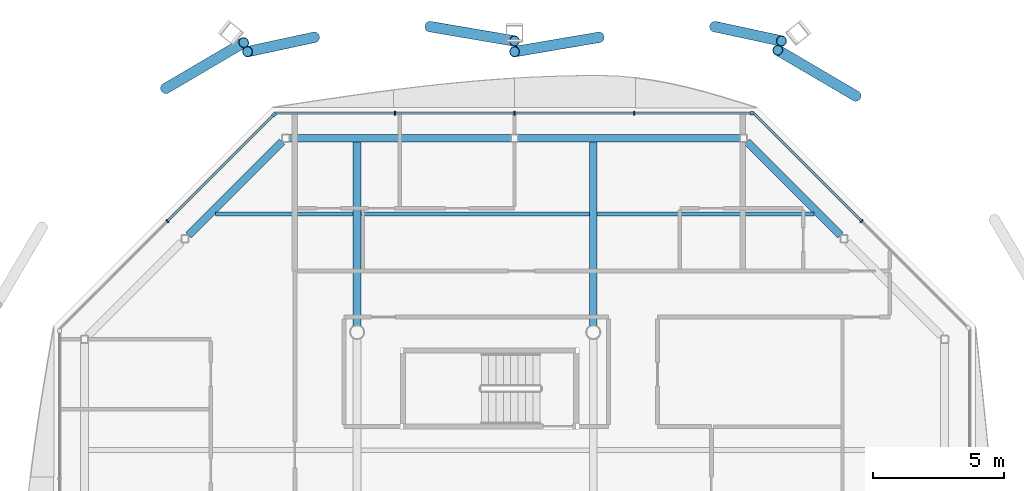
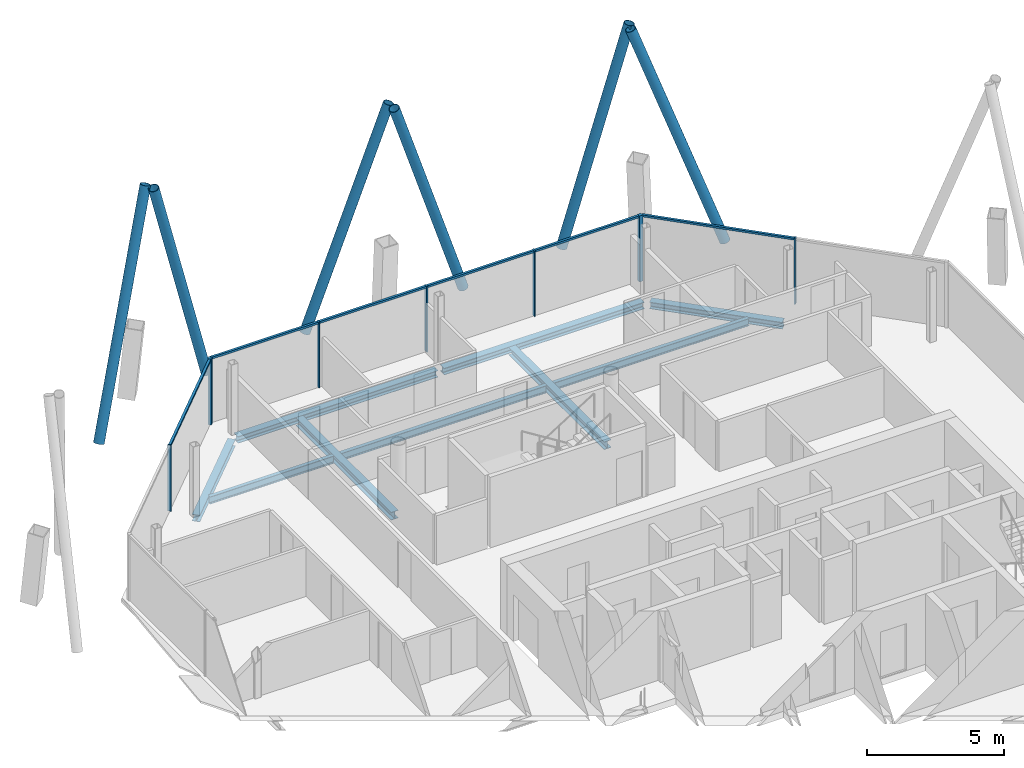
# One storey, part 8 of 16: 19 members, 9 beams, 3 elements without a shape of their own.
"""IFC4 building model written with IfcOpenShell, lengths in metres."""

from ifc_helpers import new_model, si_unit, direction, frame, origin, origin_2d, place, context, subcontext, project, spatial, rectangle, hollow_circle, i_section, extrude, material, material_profile, profile_set, type_object, element, aggregate, save


model = new_model("IFC4")

# Units and contexts
model_context = context("Model", 3, precision=1e-05, world=origin(), true_north=direction((0.0, 1.0)))
body_context = subcontext(model_context, "Body", "Model", "MODEL_VIEW")
ifc_project = project(units=[si_unit("LENGTHUNIT", "METRE"), si_unit("AREAUNIT", "SQUARE_METRE"), si_unit("VOLUMEUNIT", "CUBIC_METRE"), si_unit("PLANEANGLEUNIT", "RADIAN"), si_unit("MASSUNIT", "GRAM", prefix="KILO")], contexts=[model_context])

# Site, building, storey
site_placement = place(None, origin())
site = spatial("IfcSite", under=ifc_project, at=site_placement, CompositionType="ELEMENT")
building_placement = place(site_placement, origin())
building = spatial("IfcBuilding", under=site, at=building_placement, Name="Tskaro Facet Tower", CompositionType="ELEMENT")
storey_placement = place(building_placement, frame((0.0, 0.0, 245.550048828125)))
storey = spatial("IfcBuildingStorey", under=building, at=storey_placement, Name="L64", CompositionType="ELEMENT", Elevation=245.550048828125)

# Members
ifc_material_1 = material(Name="Steel S355J2H", Category="steel")
ifc_material_profile_1 = material_profile(ifc_material_1, hollow_circle(Radius=0.203125, WallThickness=0.02001953125, at=origin_2d()), Name="CHS 406.4x20")
ifc_profile_set_1 = profile_set([ifc_material_profile_1], Name="Steel S355J2H")
member_type_1 = type_object("IfcMemberType", Name="CHS 406.4x20 brace", PredefinedType="BRACE", material=ifc_profile_set_1)
member_1_placement = place(storey_placement, frame((10.009521484375, 17.99951171875, 0.0), z_axis=(-0.295918818534, 0.173911453254, 0.939248028619), x_axis=(-0.506677147958, -0.86213587545, 0.0)))
element("IfcMember", 1, at=member_1_placement, inside=storey, type_object=member_type_1, Name="CHS 406.4x20 XB06A/5", PredefinedType="BRACE", context=body_context, shape_type="SweptSolid", body=[
    extrude(hollow_circle(Radius=0.203125, WallThickness=0.02001953125, at=origin_2d()), origin(), (0.0, 0.0, 1.0), 10.061279296875),
])
member_2_placement = place(storey_placement, frame((0.223388671875, 20.23779296875, 0.0), z_axis=(-0.322351405965, -0.05481170237, 0.945031876899), x_axis=(0.167631053767, -0.985849800838, 0.0)))
element("IfcMember", 2, at=member_2_placement, inside=storey, type_object=member_type_1, Name="CHS 406.4x20 XB07A/5", PredefinedType="BRACE", context=body_context, shape_type="SweptSolid", body=[
    extrude(hollow_circle(Radius=0.203125, WallThickness=0.02001953125, at=origin_2d()), origin(), (0.0, 0.0, 1.0), 9.99951171875),
])
for number, where, z_axis, x_axis, name in (
    (3, (4.632080078125, 20.644287109375, 0.0), (0.259540800447, -0.055918339444, 0.964111877438), (0.210618145957, 0.977568410186, 0.0), "CHS 406.4x20 XB07B/5"),
    (4, (-10.632080078125, 20.23779296875, 0.0), (-0.259540800447, -0.055918339444, 0.964111877438), (0.210618145957, -0.977568410186, 0.0), "CHS 406.4x20 XB08A/5"),
):
    element("IfcMember", number, at=place(storey_placement, frame(where, z_axis=z_axis, x_axis=x_axis)), inside=storey, type_object=member_type_1, Name=name, PredefinedType="BRACE", context=body_context, shape_type="SweptSolid", body=[
        extrude(hollow_circle(Radius=0.203125, WallThickness=0.02001953125, at=origin_2d()), origin(), (0.0, 0.0, 1.0), 9.8017578125),
    ])
member_3_placement = place(storey_placement, frame((-6.223388671875, 20.644287109375, 0.0), z_axis=(0.322351405965, -0.05481170237, 0.945031876899), x_axis=(0.167631053767, 0.985849800838, 0.0)))
element("IfcMember", 5, at=member_3_placement, inside=storey, type_object=member_type_1, Name="CHS 406.4x20 XB08B/5", PredefinedType="BRACE", context=body_context, shape_type="SweptSolid", body=[
    extrude(hollow_circle(Radius=0.203125, WallThickness=0.02001953125, at=origin_2d()), origin(), (0.0, 0.0, 1.0), 9.99951171875),
])
member_4_placement = place(storey_placement, frame((-16.296875, 18.286865234375, 0.0), z_axis=(0.295918818534, 0.173911453254, 0.939248028619), x_axis=(-0.506677147958, 0.86213587545, 0.0)))
element("IfcMember", 6, at=member_4_placement, inside=storey, type_object=member_type_1, Name="CHS 406.4x20 XB09B/5", PredefinedType="BRACE", context=body_context, shape_type="SweptSolid", body=[
    extrude(hollow_circle(Radius=0.203125, WallThickness=0.02001953125, at=origin_2d()), origin(), (0.0, 0.0, 1.0), 10.061279296875),
])

# Curtain wall, member
ifc_material_2 = material(Name="Bronze anodised aluminium 6063-T6", Category="aluminium")
curtain_wall_type = type_object("IfcCurtainWallType", Name="Bronze residence curtain wall (FW3)", PredefinedType="NOTDEFINED", material=ifc_material_2)
curtain_wall_1_placement = place(storey_placement, origin())
curtain_wall_1 = element("IfcCurtainWall", 7, at=curtain_wall_1_placement, inside=storey, type_object=curtain_wall_type, Name="FW3 north facet L64", PredefinedType="NOTDEFINED")
ifc_material_profile_2 = material_profile(ifc_material_2, rectangle(XDim=0.139892578125, YDim=0.139892578125, at=origin_2d()), Name="Corner post 140x140")
ifc_profile_set_2 = profile_set([ifc_material_profile_2], Name="Bronze anodised aluminium 6063-T6")
member_type_2 = type_object("IfcMemberType", Name="FW3 bronze corner post 140x140", PredefinedType="MULLION", material=ifc_profile_set_2)
member_5_placement = place(storey_placement, frame((6.048095703125, 17.341064453125, 0.0), z_axis=(0.0, 0.0, 1.0), x_axis=(-1.0, 0.0, 0.0)))
member_5 = element("IfcMember", 8, at=member_5_placement, type_object=member_type_2, Name="FW3 north corner post", PredefinedType="MULLION", context=body_context, shape_type="SweptSolid", body=[
    extrude(rectangle(XDim=0.139892578125, YDim=0.139892578125, at=origin_2d()), origin(), (0.0, 0.0, 1.0), 2.949951171875),
])

curtain_wall_2_placement = place(storey_placement, origin())
curtain_wall_2 = element("IfcCurtainWall", 9, at=curtain_wall_2_placement, inside=storey, type_object=curtain_wall_type, Name="FW3 north-west facet L64", PredefinedType="NOTDEFINED")
member_6_placement = place(storey_placement, frame((-12.16748046875, 17.29150390625, 0.0), z_axis=(0.0, 0.0, 1.0), x_axis=(-0.707106781187, -0.707106781187, 0.0)))
member_6 = element("IfcMember", 10, at=member_6_placement, type_object=member_type_2, Name="FW3 north-west corner post", PredefinedType="MULLION", context=body_context, shape_type="SweptSolid", body=[
    extrude(rectangle(XDim=0.139892578125, YDim=0.139892578125, at=origin_2d()), origin(), (0.0, 0.0, 1.0), 2.949951171875),
])

curtain_wall_3_placement = place(storey_placement, origin())
curtain_wall_3 = element("IfcCurtainWall", 11, at=curtain_wall_3_placement, inside=storey, type_object=curtain_wall_type, Name="FW3 north-east facet L64", PredefinedType="NOTDEFINED")
ifc_material_profile_3 = material_profile(ifc_material_2, rectangle(XDim=0.050048828125, YDim=0.139892578125, at=origin_2d()), Name="Mullion 50x140")
ifc_profile_set_3 = profile_set([ifc_material_profile_3], Name="Bronze anodised aluminium 6063-T6")
member_type_3 = type_object("IfcMemberType", Name="FW3 bronze mullion 50x140", PredefinedType="MULLION", material=ifc_profile_set_3)
member_7_placement = place(storey_placement, frame((10.2294921875, 13.2294921875, 0.0), z_axis=(0.0, 0.0, 1.0), x_axis=(-0.707106781187, 0.707106781187, 0.0)))
member_7 = element("IfcMember", 12, at=member_7_placement, type_object=member_type_3, Name="FW3 north-east mullion 1", PredefinedType="MULLION", context=body_context, shape_type="SweptSolid", body=[
    extrude(rectangle(XDim=0.050048828125, YDim=0.139892578125, at=origin_2d()), origin(), (0.0, 0.0, 1.0), 2.949951171875),
])

# Member
member_8_placement = place(storey_placement, frame((1.55908203125, 17.341064453125, 0.0), z_axis=(0.0, 0.0, 1.0), x_axis=(-1.0, 0.0, 0.0)))
member_8 = element("IfcMember", 13, at=member_8_placement, type_object=member_type_3, Name="FW3 north mullion 1", PredefinedType="MULLION", context=body_context, shape_type="SweptSolid", body=[
    extrude(rectangle(XDim=0.050048828125, YDim=0.139892578125, at=origin_2d()), origin(), (0.0, 0.0, 1.0), 2.949951171875),
])

member_9_placement = place(storey_placement, frame((-3.0, 17.341064453125, 0.0), z_axis=(0.0, 0.0, 1.0), x_axis=(-1.0, 0.0, 0.0)))
member_9 = element("IfcMember", 14, at=member_9_placement, type_object=member_type_3, Name="FW3 north mullion 2", PredefinedType="MULLION", context=body_context, shape_type="SweptSolid", body=[
    extrude(rectangle(XDim=0.050048828125, YDim=0.139892578125, at=origin_2d()), origin(), (0.0, 0.0, 1.0), 2.949951171875),
])

member_10_placement = place(storey_placement, frame((-7.55908203125, 17.341064453125, 0.0), z_axis=(0.0, 0.0, 1.0), x_axis=(-1.0, 0.0, 0.0)))
member_10 = element("IfcMember", 15, at=member_10_placement, type_object=member_type_3, Name="FW3 north mullion 3", PredefinedType="MULLION", context=body_context, shape_type="SweptSolid", body=[
    extrude(rectangle(XDim=0.050048828125, YDim=0.139892578125, at=origin_2d()), origin(), (0.0, 0.0, 1.0), 2.949951171875),
])

member_11_placement = place(storey_placement, frame((-16.2294921875, 13.2294921875, 0.0), z_axis=(0.0, 0.0, 1.0), x_axis=(-0.707106781187, -0.707106781187, 0.0)))
member_11 = element("IfcMember", 16, at=member_11_placement, type_object=member_type_3, Name="FW3 north-west mullion 1", PredefinedType="MULLION", context=body_context, shape_type="SweptSolid", body=[
    extrude(rectangle(XDim=0.050048828125, YDim=0.139892578125, at=origin_2d()), origin(), (0.0, 0.0, 1.0), 2.949951171875),
])

ifc_material_profile_4 = material_profile(ifc_material_2, rectangle(XDim=0.10009765625, YDim=0.090087890625, at=origin_2d()), Name="Transom 100x90")
ifc_profile_set_4 = profile_set([ifc_material_profile_4], Name="Bronze anodised aluminium 6063-T6")
member_type_4 = type_object("IfcMemberType", Name="FW3 bronze transom 100x90", PredefinedType="USERDEFINED", material=ifc_profile_set_4)
member_12_placement = place(storey_placement, frame((10.2119140625, 13.2470703125, 2.905029296875), z_axis=(-0.707106781187, 0.707106781187, 0.0), x_axis=(-0.707106781187, -0.707106781187, 0.0)))
member_12 = element("IfcMember", 17, at=member_12_placement, type_object=member_type_4, Name="FW3 north-east transom 2.1", ObjectType="TRANSOM", PredefinedType="USERDEFINED", context=body_context, shape_type="SweptSolid", body=[
    extrude(rectangle(XDim=0.10009765625, YDim=0.090087890625, at=origin_2d()), origin(), (0.0, 0.0, 1.0), 5.789794921875),
])

aggregate(curtain_wall_3, [member_7, member_12])

member_13_placement = place(storey_placement, frame((5.97802734375, 17.341064453125, 2.905029296875), z_axis=(-1.0, 0.0, 0.0), x_axis=(0.0, -1.0, 0.0)))
member_13 = element("IfcMember", 18, at=member_13_placement, type_object=member_type_4, Name="FW3 north transom 1.1", ObjectType="TRANSOM", PredefinedType="USERDEFINED", context=body_context, shape_type="SweptSolid", body=[
    extrude(rectangle(XDim=0.10009765625, YDim=0.090087890625, at=origin_2d()), origin(), (0.0, 0.0, 1.0), 4.39404296875),
])

member_14_placement = place(storey_placement, frame((1.533935546875, 17.341064453125, 2.905029296875), z_axis=(-1.0, 0.0, 0.0), x_axis=(0.0, -1.0, 0.0)))
member_14 = element("IfcMember", 19, at=member_14_placement, type_object=member_type_4, Name="FW3 north transom 2.1", ObjectType="TRANSOM", PredefinedType="USERDEFINED", context=body_context, shape_type="SweptSolid", body=[
    extrude(rectangle(XDim=0.10009765625, YDim=0.090087890625, at=origin_2d()), origin(), (0.0, 0.0, 1.0), 4.509033203125),
])

member_15_placement = place(storey_placement, frame((-3.02490234375, 17.341064453125, 2.905029296875), z_axis=(-1.0, 0.0, 0.0), x_axis=(0.0, -1.0, 0.0)))
member_15 = element("IfcMember", 20, at=member_15_placement, type_object=member_type_4, Name="FW3 north transom 3.1", ObjectType="TRANSOM", PredefinedType="USERDEFINED", context=body_context, shape_type="SweptSolid", body=[
    extrude(rectangle(XDim=0.10009765625, YDim=0.090087890625, at=origin_2d()), origin(), (0.0, 0.0, 1.0), 4.509033203125),
])

member_16_placement = place(storey_placement, frame((-7.583984375, 17.341064453125, 2.905029296875), z_axis=(-1.0, 0.0, 0.0), x_axis=(0.0, -1.0, 0.0)))
member_16 = element("IfcMember", 21, at=member_16_placement, type_object=member_type_4, Name="FW3 north transom 4.1", ObjectType="TRANSOM", PredefinedType="USERDEFINED", context=body_context, shape_type="SweptSolid", body=[
    extrude(rectangle(XDim=0.10009765625, YDim=0.090087890625, at=origin_2d()), origin(), (0.0, 0.0, 1.0), 4.533935546875),
])

aggregate(curtain_wall_1, [member_5, member_8, member_9, member_10, member_13, member_14, member_15, member_16])

member_17_placement = place(storey_placement, frame((-12.217041015625, 17.241943359375, 2.905029296875), z_axis=(-0.707106781187, -0.707106781187, 0.0), x_axis=(0.707106781187, -0.707106781187, 0.0)))
member_17 = element("IfcMember", 22, at=member_17_placement, type_object=member_type_4, Name="FW3 north-west transom 1.1", ObjectType="TRANSOM", PredefinedType="USERDEFINED", context=body_context, shape_type="SweptSolid", body=[
    extrude(rectangle(XDim=0.10009765625, YDim=0.090087890625, at=origin_2d()), origin(), (0.0, 0.0, 1.0), 5.649658203125),
])

aggregate(curtain_wall_2, [member_6, member_11, member_17])

# Beams
ifc_material_3 = material(Name="Steel S355J2", Category="steel")
ifc_material_profile_5 = material_profile(ifc_material_3, i_section(OverallWidth=0.300048828125, OverallDepth=0.300048828125, WebThickness=0.010986328125, FlangeThickness=0.01904296875, FilletRadius=0.027099609375, at=origin_2d()), Name="HE 300 B")
ifc_profile_set_5 = profile_set([ifc_material_profile_5], Name="Steel S355J2")
beam_type_1 = type_object("IfcBeamType", Name="HE 300 B ring beam", PredefinedType="BEAM", material=ifc_profile_set_5)
beam_1_placement = place(storey_placement, frame((9.422119140625, 12.69384765625, -0.2900390625), z_axis=(-0.707106781187, 0.707106781187, 0.0), x_axis=(-0.707106781187, -0.707106781187, 0.0)))
element("IfcBeam", 23, at=beam_1_placement, inside=storey, type_object=beam_type_1, Name="HE 300 B EB9-5", PredefinedType="BEAM", context=body_context, shape_type="SweptSolid", body=[
    extrude(i_section(OverallWidth=0.300048828125, OverallDepth=0.300048828125, WebThickness=0.010986328125, FlangeThickness=0.01904296875, FilletRadius=0.027099609375, at=origin_2d()), origin(), (0.0, 0.0, 1.0), 5.036376953125),
])
for number, where, z_axis, x_axis, name in (
    (24, (5.594970703125, 16.39111328125, -0.2900390625), (-1.0, 0.0, 0.0), (0.0, -1.0, 0.0), "HE 300 B EB10-5"),
    (25, (-3.1298828125, 16.39111328125, -0.2900390625), (-1.0, 0.0, 0.0), (0.0, -1.0, 0.0), "HE 300 B EB11-5"),
):
    element("IfcBeam", number, at=place(storey_placement, frame(where, z_axis=z_axis, x_axis=x_axis)), inside=storey, type_object=beam_type_1, Name=name, PredefinedType="BEAM", context=body_context, shape_type="SweptSolid", body=[
        extrude(i_section(OverallWidth=0.300048828125, OverallDepth=0.300048828125, WebThickness=0.010986328125, FlangeThickness=0.01904296875, FilletRadius=0.027099609375, at=origin_2d()), origin(), (0.0, 0.0, 1.0), 8.465087890625),
    ])
beam_2_placement = place(storey_placement, frame((-11.86083984375, 16.255126953125, -0.2900390625), z_axis=(-0.707106781187, -0.707106781187, 0.0), x_axis=(0.707106781187, -0.707106781187, 0.0)))
element("IfcBeam", 26, at=beam_2_placement, inside=storey, type_object=beam_type_1, Name="HE 300 B EB12-5", PredefinedType="BEAM", context=body_context, shape_type="SweptSolid", body=[
    extrude(i_section(OverallWidth=0.300048828125, OverallDepth=0.300048828125, WebThickness=0.010986328125, FlangeThickness=0.01904296875, FilletRadius=0.027099609375, at=origin_2d()), origin(), (0.0, 0.0, 1.0), 5.036376953125),
])
ifc_material_profile_6 = material_profile(ifc_material_3, i_section(OverallWidth=0.300048828125, OverallDepth=0.35009765625, WebThickness=0.010009765625, FlangeThickness=0.017578125, FilletRadius=0.027099609375, at=origin_2d()), Name="HE 360 A")
ifc_profile_set_6 = profile_set([ifc_material_profile_6], Name="Steel S355J2")
beam_type_2 = type_object("IfcBeamType", Name="HE 360 A girder", PredefinedType="BEAM", material=ifc_profile_set_6)
for number, where, z_axis, x_axis, name in (
    (27, (-9.0, 9.24951171875, -0.31494140625), (0.0, 1.0, 0.0), (-1.0, 0.0, 0.0), "HE 360 A GB3-3-5"),
    (28, (0.0, 9.24951171875, -0.31494140625), (0.0, 1.0, 0.0), (-1.0, 0.0, 0.0), "HE 360 A GB4-3-5"),
):
    element("IfcBeam", number, at=place(storey_placement, frame(where, z_axis=z_axis, x_axis=x_axis)), inside=storey, type_object=beam_type_2, Name=name, PredefinedType="BEAM", context=body_context, shape_type="SweptSolid", body=[
        extrude(i_section(OverallWidth=0.300048828125, OverallDepth=0.35009765625, WebThickness=0.010009765625, FlangeThickness=0.017578125, FilletRadius=0.027099609375, at=origin_2d()), origin(), (0.0, 0.0, 1.0), 6.991455078125),
    ])
ifc_material_profile_7 = material_profile(ifc_material_3, i_section(OverallWidth=0.159912109375, OverallDepth=0.330078125, WebThickness=0.007568359375, FlangeThickness=0.011474609375, FilletRadius=0.01806640625, at=origin_2d()), Name="IPE 330")
ifc_profile_set_7 = profile_set([ifc_material_profile_7], Name="Steel S355J2")
beam_type_3 = type_object("IfcBeamType", Name="IPE 330 secondary beam", PredefinedType="BEAM", material=ifc_profile_set_7)
beam_3_placement = place(storey_placement, frame((-14.404052734375, 13.5, -0.304931640625), z_axis=(1.0, 0.0, 0.0), x_axis=(0.0, 1.0, 0.0)))
element("IfcBeam", 29, at=beam_3_placement, inside=storey, type_object=beam_type_3, Name="IPE 330 SB5a-1-5", PredefinedType="BEAM", context=body_context, shape_type="SweptSolid", body=[
    extrude(i_section(OverallWidth=0.159912109375, OverallDepth=0.330078125, WebThickness=0.007568359375, FlangeThickness=0.011474609375, FilletRadius=0.01806640625, at=origin_2d()), origin(), (0.0, 0.0, 1.0), 5.254150390625),
])
beam_4_placement = place(storey_placement, frame((-8.85009765625, 13.5, -0.304931640625), z_axis=(1.0, 0.0, 0.0), x_axis=(0.0, 1.0, 0.0)))
element("IfcBeam", 30, at=beam_4_placement, inside=storey, type_object=beam_type_3, Name="IPE 330 SB5a-2-5", PredefinedType="BEAM", context=body_context, shape_type="SweptSolid", body=[
    extrude(i_section(OverallWidth=0.159912109375, OverallDepth=0.330078125, WebThickness=0.007568359375, FlangeThickness=0.011474609375, FilletRadius=0.01806640625, at=origin_2d()), origin(), (0.0, 0.0, 1.0), 8.7001953125),
])
beam_5_placement = place(storey_placement, frame((0.14990234375, 13.5, -0.304931640625), z_axis=(1.0, 0.0, 0.0), x_axis=(0.0, 1.0, 0.0)))
element("IfcBeam", 31, at=beam_5_placement, inside=storey, type_object=beam_type_3, Name="IPE 330 SB5a-3-5", PredefinedType="BEAM", context=body_context, shape_type="SweptSolid", body=[
    extrude(i_section(OverallWidth=0.159912109375, OverallDepth=0.330078125, WebThickness=0.007568359375, FlangeThickness=0.011474609375, FilletRadius=0.01806640625, at=origin_2d()), origin(), (0.0, 0.0, 1.0), 8.254150390625),
])

save(model, "model.ifc")
